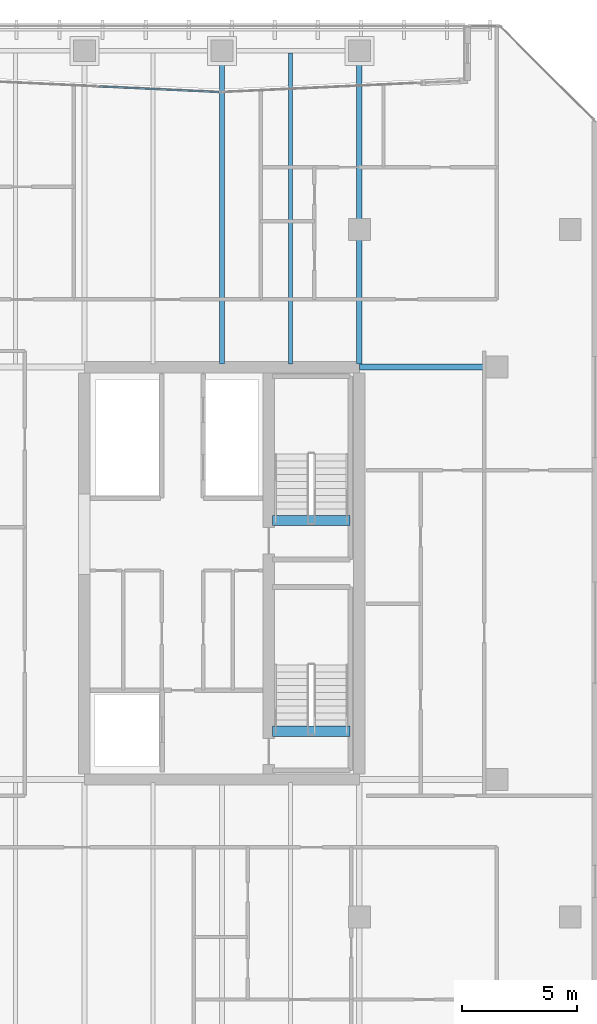
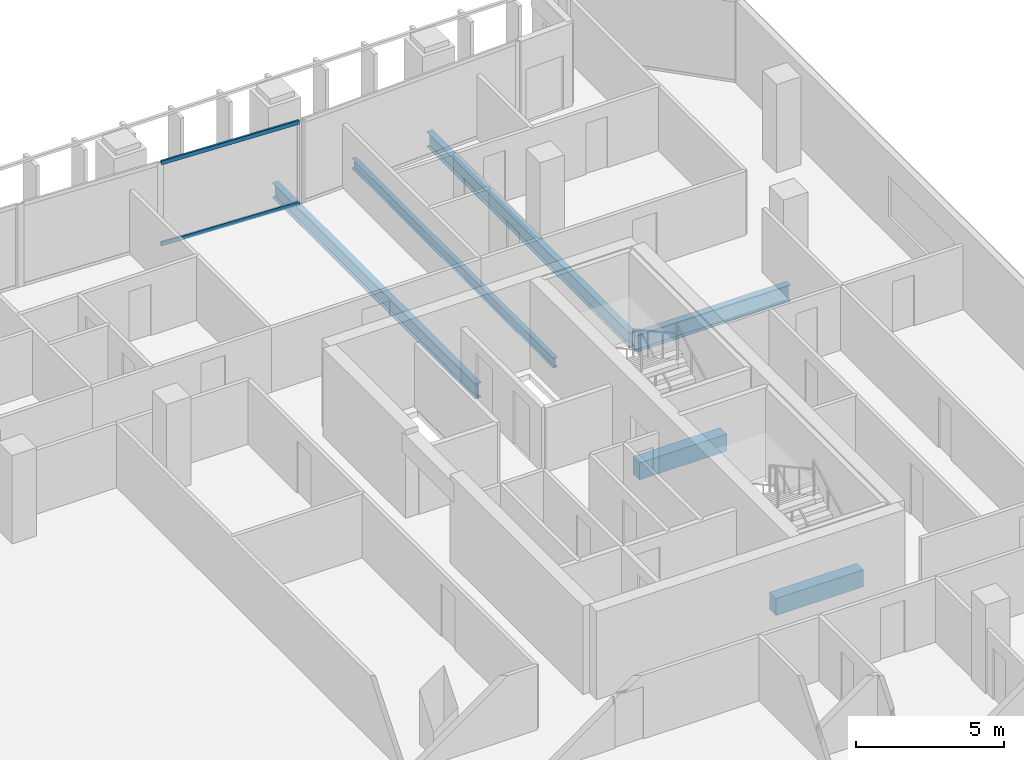
# One storey, part 22 of 39: 6 beams, 2 members, 1 element without a shape of its own.
"""IFC4 building model written with IfcOpenShell, lengths in metres."""

from ifc_helpers import new_model, si_unit, direction, frame, origin, origin_2d, place, context, subcontext, project, spatial, rectangle, hollow_rectangle, i_section, extrude, material, layer, layer_set, material_profile, profile_set, type_object, element, aggregate, save


model = new_model("IFC4")

# Units and contexts
model_context = context("Model", 3, precision=1e-05, world=origin(), true_north=direction((0.0, 1.0)))
body_context = subcontext(model_context, "Body", "Model", "MODEL_VIEW")
ifc_project = project(units=[si_unit("LENGTHUNIT", "METRE"), si_unit("AREAUNIT", "SQUARE_METRE"), si_unit("VOLUMEUNIT", "CUBIC_METRE"), si_unit("PLANEANGLEUNIT", "RADIAN"), si_unit("MASSUNIT", "GRAM", prefix="KILO")], contexts=[model_context])

# Site, building, storey
site_placement = place(None, origin())
site = spatial("IfcSite", under=ifc_project, at=site_placement, CompositionType="ELEMENT")
building_placement = place(site_placement, origin())
building = spatial("IfcBuilding", under=site, at=building_placement, Name="Tanjung Sevakor Pilgrim Tower", CompositionType="ELEMENT")
storey_placement = place(building_placement, frame((0.0, 0.0, 108.570068359375)))
storey = spatial("IfcBuildingStorey", under=building, at=storey_placement, Name="L30", CompositionType="ELEMENT", Elevation=108.570068359375)

# Beams
ifc_material_1 = material(Name="Steel S355J2", Category="steel")
ifc_material_profile_1 = material_profile(ifc_material_1, i_section(OverallWidth=0.25439453125, OverallDepth=0.6875, WebThickness=0.01318359375, FlangeThickness=0.02099609375, FilletRadius=0.01513671875, at=origin_2d()))
ifc_profile_set_1 = profile_set([ifc_material_profile_1], Name="Steel S355J2")
beam_type_1 = type_object("IfcBeamType", Name="BM-B-G2-UB_686x254x152", PredefinedType="BEAM", material=ifc_profile_set_1)
beam_1_placement = place(storey_placement, frame((90.0, 42.60009765625, -0.56396484375), z_axis=(1.0, 0.0, 0.0), x_axis=(0.0, 1.0, 0.0)))
element("IfcBeam", 1, at=beam_1_placement, inside=storey, type_object=beam_type_1, Name="L30 Primary Floor Girder MAIN Y426-09", PredefinedType="BEAM", context=body_context, shape_type="SweptSolid", body=[
    extrude(i_section(OverallWidth=0.25439453125, OverallDepth=0.6875, WebThickness=0.01318359375, FlangeThickness=0.02099609375, FilletRadius=0.01513671875, at=origin_2d()), origin(), (0.0, 0.0, 1.0), 6.0),
])
ifc_material_2 = material(Name="Steel S355J2", Category="steel")
ifc_material_profile_2 = material_profile(ifc_material_2, i_section(OverallWidth=0.230224609375, OverallDepth=0.6171875, WebThickness=0.01318359375, FlangeThickness=0.022216796875, FilletRadius=0.0126953125, at=origin_2d()))
ifc_profile_set_2 = profile_set([ifc_material_profile_2], Name="Steel S355J2")
beam_type_2 = type_object("IfcBeamType", Name="BM-B-G3-UB_610x229x140", PredefinedType="BEAM", material=ifc_profile_set_2)
for number, where, z_axis, x_axis, name in (
    (2, (84.0, 42.727294921875, -0.528564453125), (0.0, 1.0, 0.0), (-1.0, 0.0, 0.0), "L30 MAIN Girder 042"),
    (3, (90.0, 42.727294921875, -0.528564453125), (0.0, 1.0, 0.0), (-1.0, 0.0, 0.0), "L30 MAIN Girder 046"),
):
    element("IfcBeam", number, at=place(storey_placement, frame(where, z_axis=z_axis, x_axis=x_axis)), inside=storey, type_object=beam_type_2, Name=name, PredefinedType="BEAM", context=body_context, shape_type="SweptSolid", body=[
        extrude(i_section(OverallWidth=0.230224609375, OverallDepth=0.6171875, WebThickness=0.01318359375, FlangeThickness=0.022216796875, FilletRadius=0.0126953125, at=origin_2d()), origin(), (0.0, 0.0, 1.0), 13.672607421875),
    ])
ifc_material_3 = material(Name="Steel S355J2", Category="steel")
ifc_material_profile_3 = material_profile(ifc_material_3, i_section(OverallWidth=0.1787109375, OverallDepth=0.409423828125, WebThickness=0.0087890625, FlangeThickness=0.014404296875, FilletRadius=0.01025390625, at=origin_2d()))
ifc_profile_set_3 = profile_set([ifc_material_profile_3], Name="Steel S355J2")
beam_type_3 = type_object("IfcBeamType", Name="BM-B-J3-UB_406x178x67", PredefinedType="JOIST", material=ifc_profile_set_3)
beam_2_placement = place(storey_placement, frame((87.0, 42.727294921875, -0.4248046875), z_axis=(0.0, 1.0, 0.0), x_axis=(-1.0, 0.0, 0.0)))
element("IfcBeam", 4, at=beam_2_placement, inside=storey, type_object=beam_type_3, Name="L30 MAIN Joist 044", PredefinedType="JOIST", context=body_context, shape_type="SweptSolid", body=[
    extrude(i_section(OverallWidth=0.1787109375, OverallDepth=0.409423828125, WebThickness=0.0087890625, FlangeThickness=0.014404296875, FilletRadius=0.01025390625, at=origin_2d()), origin(), (0.0, 0.0, 1.0), 13.57275390625),
])
ifc_material_4 = material(Name="Concrete C60/75", Category="concrete")
ifc_material_profile_4 = material_profile(ifc_material_4, rectangle(XDim=0.449951171875, YDim=0.699951171875, at=origin_2d()))
ifc_profile_set_4 = profile_set([ifc_material_profile_4], Name="Concrete C60/75")
beam_type_4 = type_object("IfcBeamType", Name="BM-B-LN3-RC-BM_450x700", PredefinedType="LINTEL", material=ifc_profile_set_4)
for number, where, z_axis, x_axis, name in (
    (5, (86.199951171875, 26.699951171875, -0.35009765625), (1.0, 0.0, 0.0), (0.0, 1.0, 0.0), "L30 TS-E1 Stair Threshold Beam"),
    (6, (86.199951171875, 35.89990234375, -0.35009765625), (1.0, 0.0, 0.0), (0.0, 1.0, 0.0), "L30 TS-E2 Stair Threshold Beam"),
):
    element("IfcBeam", number, at=place(storey_placement, frame(where, z_axis=z_axis, x_axis=x_axis)), inside=storey, type_object=beam_type_4, Name=name, PredefinedType="LINTEL", context=body_context, shape_type="SweptSolid", body=[
        extrude(rectangle(XDim=0.449951171875, YDim=0.699951171875, at=origin_2d()), origin(), (0.0, 0.0, 1.0), 3.400146484375),
    ])

# Curtain wall, members
ifc_material_5 = material(Name="Aluminium 6063-T6 and Low-E Glass", Category="aluminium")
ifc_layer = layer(ifc_material_5, 0.199951171875)
ifc_layer_set = layer_set([ifc_layer], Name="CW-SYS-PRAY")
curtain_wall_type = type_object("IfcCurtainWallType", Name="CW-SYS-PRAY", PredefinedType="NOTDEFINED", material=ifc_layer_set)
curtain_wall_placement = place(storey_placement, origin())
curtain_wall = element("IfcCurtainWall", 7, at=curtain_wall_placement, inside=storey, type_object=curtain_wall_type, Name="L30 Curtain Wall CW-PRY-L30-21", PredefinedType="NOTDEFINED")
ifc_material_6 = material(Name="Aluminium 6063-T6", Category="aluminium")
ifc_material_profile_5 = material_profile(ifc_material_6, hollow_rectangle(XDim=0.074951171875, YDim=0.159912109375, WallThickness=0.00439453125, at=origin_2d()))
ifc_profile_set_5 = profile_set([ifc_material_profile_5], Name="Aluminium 6063-T6")
member_type = type_object("IfcMemberType", Name="TYPE-CWT-2", PredefinedType="USERDEFINED", material=ifc_profile_set_5)
member_1_placement = place(storey_placement, frame((83.875, 54.598388671875, 0.037353515625), z_axis=(-0.998899651853, 0.046898672977, 0.0), x_axis=(-0.046898672977, -0.998899651853, 0.0)))
member_1 = element("IfcMember", 8, at=member_1_placement, type_object=member_type, Name="CW-PRY transom 1.1", ObjectType="TRANSOM", PredefinedType="USERDEFINED", context=body_context, shape_type="SweptSolid", body=[
    extrude(hollow_rectangle(XDim=0.074951171875, YDim=0.159912109375, WallThickness=0.00439453125, at=origin_2d()), origin(), (0.0, 0.0, 1.0), 5.221435546875),
])
member_2_placement = place(storey_placement, frame((83.875, 54.598388671875, 3.372314453125), z_axis=(-0.998899651853, 0.046898672977, 0.0), x_axis=(-0.046898672977, -0.998899651853, 0.0)))
member_2 = element("IfcMember", 9, at=member_2_placement, type_object=member_type, Name="CW-PRY transom 1.2", ObjectType="TRANSOM", PredefinedType="USERDEFINED", context=body_context, shape_type="SweptSolid", body=[
    extrude(hollow_rectangle(XDim=0.074951171875, YDim=0.159912109375, WallThickness=0.00439453125, at=origin_2d()), origin(), (0.0, 0.0, 1.0), 5.221435546875),
])
aggregate(curtain_wall, [member_1, member_2])

save(model, "model.ifc")
